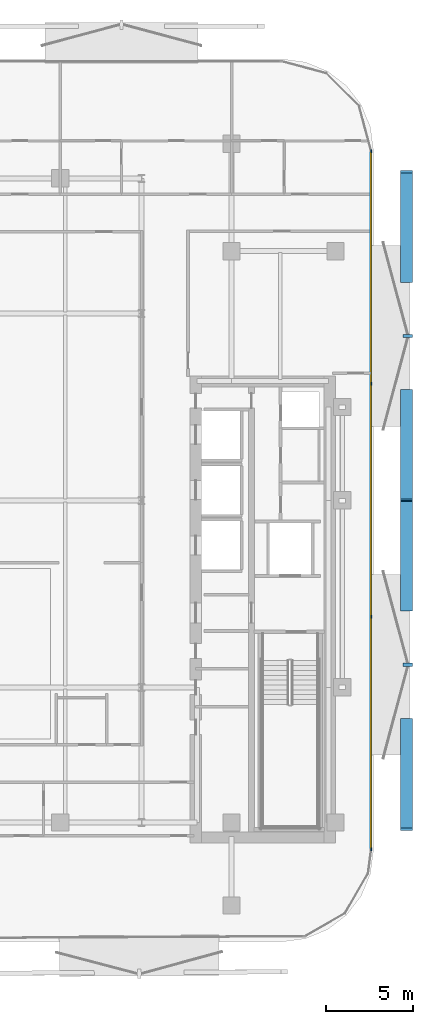
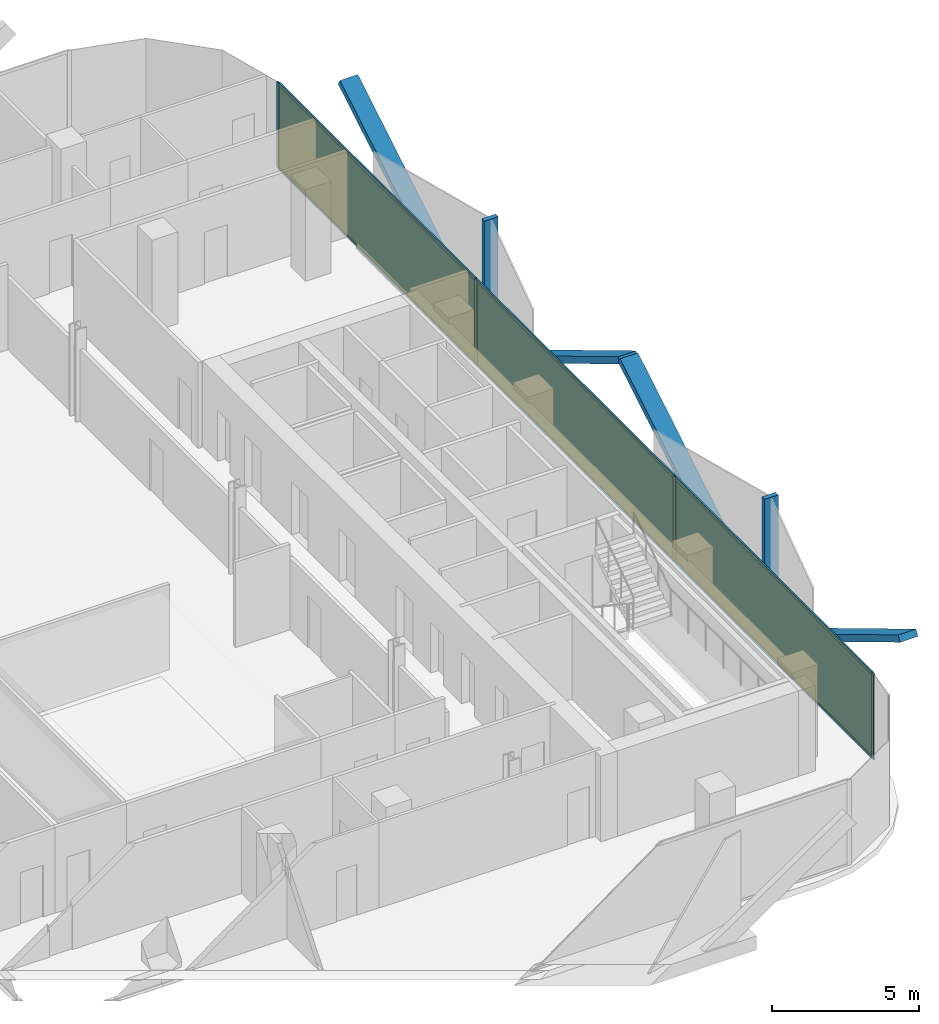
# One storey, part 11 of 17: 16 members, 3 plates, 1 curtain wall.
"""IFC4 building model written with IfcOpenShell, lengths in metres."""

from ifc_helpers import new_model, si_unit, direction, frame, frame_2d, origin, origin_2d, place, context, subcontext, project, spatial, rectangle, extrude, material, layer, layer_set, material_profile, profile_set, type_object, element, aggregate, save


model = new_model("IFC4")

# Units and contexts
model_context = context("Model", 3, precision=1e-05, world=origin(), true_north=direction((0.0, 1.0)))
body_context = subcontext(model_context, "Body", "Model", "MODEL_VIEW")
ifc_project = project(units=[si_unit("LENGTHUNIT", "METRE"), si_unit("AREAUNIT", "SQUARE_METRE"), si_unit("VOLUMEUNIT", "CUBIC_METRE"), si_unit("PLANEANGLEUNIT", "RADIAN"), si_unit("MASSUNIT", "GRAM", prefix="KILO")], contexts=[model_context])

# Member
ifc_material_1 = material(Name="Anodised Bronze Aluminium 6063-T6", Category="aluminium")
ifc_material_profile_1 = material_profile(ifc_material_1, rectangle(XDim=0.260009765625, YDim=0.699951171875, at=origin_2d()))
ifc_profile_set_1 = profile_set([ifc_material_profile_1], Name="Anodised Bronze Aluminium 6063-T6")
member_type_1 = type_object("IfcMemberType", Name="Bronze Diamond Solar-Screen Lattice Rib BDL-700", PredefinedType="MULLION", material=ifc_profile_set_1)
site_placement = place(None, origin())
building_placement = place(site_placement, origin())
storey_placement = place(building_placement, frame((0.0, 0.0, 168.800048828125)))
member_1_placement = place(storey_placement, frame((24.5, 6.330322265625, -0.130126953125), z_axis=(0.0, -0.857382035675, 0.514680527027), x_axis=(0.0, -0.514680527027, -0.857382035675)))
member_1 = element("IfcMember", 1, at=member_1_placement, type_object=member_type_1, Name="L38 Bronze Diamond Solar Screen Lattice Rib 247A", PredefinedType="MULLION", context=body_context, shape_type="SweptSolid", body=[
    extrude(rectangle(XDim=0.260009765625, YDim=0.699951171875, at=origin_2d()), origin(), (0.0, 0.0, 1.0), 7.38330078125),
])

member_2_placement = place(storey_placement, frame((24.5, 12.660400390625, -0.130126953125), z_axis=(0.0, 0.857382035675, 0.514680527027), x_axis=(0.0, 0.514680527027, -0.857382035675)))
member_2 = element("IfcMember", 2, at=member_2_placement, type_object=member_type_1, Name="L38 Bronze Diamond Solar Screen Lattice Rib 247B", PredefinedType="MULLION", context=body_context, shape_type="SweptSolid", body=[
    extrude(rectangle(XDim=0.260009765625, YDim=0.699951171875, at=origin_2d()), origin(), (0.0, 0.0, 1.0), 7.38330078125),
])

member_3_placement = place(storey_placement, frame((24.5, -12.660400390625, -0.130126953125), z_axis=(0.0, -0.857382035675, 0.514680527027), x_axis=(0.0, -0.514680527027, -0.857382035675)))
member_3 = element("IfcMember", 3, at=member_3_placement, type_object=member_type_1, Name="L38 Bronze Diamond Solar Screen Lattice Rib 248A", PredefinedType="MULLION", context=body_context, shape_type="SweptSolid", body=[
    extrude(rectangle(XDim=0.260009765625, YDim=0.699951171875, at=origin_2d()), origin(), (0.0, 0.0, 1.0), 7.38330078125),
])

member_4_placement = place(storey_placement, frame((24.5, -6.330322265625, -0.130126953125), z_axis=(0.0, 0.857382035675, 0.514680527027), x_axis=(0.0, 0.514680527027, -0.857382035675)))
member_4 = element("IfcMember", 4, at=member_4_placement, type_object=member_type_1, Name="L38 Bronze Diamond Solar Screen Lattice Rib 248B", PredefinedType="MULLION", context=body_context, shape_type="SweptSolid", body=[
    extrude(rectangle(XDim=0.260009765625, YDim=0.699951171875, at=origin_2d()), origin(), (0.0, 0.0, 1.0), 7.38330078125),
])

ifc_material_2 = material(Name="Anodised Bronze Aluminium 6063-T6", Category="aluminium")
ifc_material_profile_2 = material_profile(ifc_material_2, rectangle(XDim=0.179931640625, YDim=0.5400390625, at=origin_2d()))
ifc_profile_set_2 = profile_set([ifc_material_profile_2], Name="Anodised Bronze Aluminium 6063-T6")
member_type_2 = type_object("IfcMemberType", Name="Bronze Solar-Screen Vertical Fold Fin BSF-540", PredefinedType="MULLION", material=ifc_profile_set_2)
member_5_placement = place(storey_placement, frame((24.580078125, 9.495361328125, -0.130126953125), z_axis=(0.0, 0.0, 1.0), x_axis=(0.0, -1.0, 0.0)))
member_5 = element("IfcMember", 5, at=member_5_placement, type_object=member_type_2, Name="L38 Bronze Solar Screen Vertical Fin 247", PredefinedType="MULLION", context=body_context, shape_type="SweptSolid", body=[
    extrude(rectangle(XDim=0.179931640625, YDim=0.5400390625, at=origin_2d()), origin(), (0.0, 0.0, 1.0), 3.800048828125),
])

member_6_placement = place(storey_placement, frame((24.580078125, -9.495361328125, -0.130126953125), z_axis=(0.0, 0.0, 1.0), x_axis=(0.0, -1.0, 0.0)))
member_6 = element("IfcMember", 6, at=member_6_placement, type_object=member_type_2, Name="L38 Bronze Solar Screen Vertical Fin 248", PredefinedType="MULLION", context=body_context, shape_type="SweptSolid", body=[
    extrude(rectangle(XDim=0.179931640625, YDim=0.5400390625, at=origin_2d()), origin(), (0.0, 0.0, 1.0), 3.800048828125),
])

ifc_material_3 = material(Name="Anodised Bronze Aluminium 6063-T6", Category="aluminium")
ifc_material_profile_3 = material_profile(ifc_material_3, rectangle(XDim=0.06005859375, YDim=0.1650390625, at=origin_2d()))
ifc_profile_set_3 = profile_set([ifc_material_profile_3], Name="Anodised Bronze Aluminium 6063-T6")
member_type_3 = type_object("IfcMemberType", Name="CW-Z3 Mullion 60x165", PredefinedType="MULLION", material=ifc_profile_set_3)
member_7_placement = place(storey_placement, frame((22.4599609375, 20.160888671875, 0.0), z_axis=(0.0, 0.0, 1.0), x_axis=(1.0, 0.0, 0.0)))
member_7 = element("IfcMember", 7, at=member_7_placement, type_object=member_type_3, Name="CW-Z3 mullion 1", PredefinedType="MULLION", context=body_context, shape_type="SweptSolid", body=[
    extrude(rectangle(XDim=0.06005859375, YDim=0.1650390625, at=origin_2d()), origin(), (0.0, 0.0, 1.0), 3.5400390625),
])

member_8_placement = place(storey_placement, frame((22.4599609375, 6.730224609375, 0.0), z_axis=(0.0, 0.0, 1.0), x_axis=(1.0, 0.0, 0.0)))
member_8 = element("IfcMember", 8, at=member_8_placement, type_object=member_type_3, Name="CW-Z3 mullion 2", PredefinedType="MULLION", context=body_context, shape_type="SweptSolid", body=[
    extrude(rectangle(XDim=0.06005859375, YDim=0.1650390625, at=origin_2d()), origin(), (0.0, 0.0, 1.0), 3.5400390625),
])

member_9_placement = place(storey_placement, frame((22.4599609375, -6.730224609375, 0.0), z_axis=(0.0, 0.0, 1.0), x_axis=(1.0, 0.0, 0.0)))
member_9 = element("IfcMember", 9, at=member_9_placement, type_object=member_type_3, Name="CW-Z3 mullion 3", PredefinedType="MULLION", context=body_context, shape_type="SweptSolid", body=[
    extrude(rectangle(XDim=0.06005859375, YDim=0.1650390625, at=origin_2d()), origin(), (0.0, 0.0, 1.0), 3.5400390625),
])

member_10_placement = place(storey_placement, frame((22.4599609375, -20.160888671875, 0.0), z_axis=(0.0, 0.0, 1.0), x_axis=(1.0, 0.0, 0.0)))
member_10 = element("IfcMember", 10, at=member_10_placement, type_object=member_type_3, Name="CW-Z3 mullion 4", PredefinedType="MULLION", context=body_context, shape_type="SweptSolid", body=[
    extrude(rectangle(XDim=0.06005859375, YDim=0.1650390625, at=origin_2d()), origin(), (0.0, 0.0, 1.0), 3.5400390625),
])

ifc_material_4 = material(Name="Anodised Bronze Aluminium 6063-T6", Category="aluminium")
ifc_material_profile_4 = material_profile(ifc_material_4, rectangle(XDim=0.06005859375, YDim=0.1298828125, at=origin_2d()))
ifc_profile_set_4 = profile_set([ifc_material_profile_4], Name="Anodised Bronze Aluminium 6063-T6")
member_type_4 = type_object("IfcMemberType", Name="CW-Z3 Transom 60x130", PredefinedType="USERDEFINED", material=ifc_profile_set_4)
member_11_placement = place(storey_placement, frame((22.4599609375, 20.130859375, 0.030029296875), z_axis=(0.0, -1.0, 0.0), x_axis=(1.0, 0.0, 0.0)))
member_11 = element("IfcMember", 11, at=member_11_placement, type_object=member_type_4, Name="CW-Z3 transom 1.1", ObjectType="TRANSOM", PredefinedType="USERDEFINED", context=body_context, shape_type="SweptSolid", body=[
    extrude(rectangle(XDim=0.06005859375, YDim=0.1298828125, at=origin_2d()), origin(), (0.0, 0.0, 1.0), 13.37060546875),
])

member_12_placement = place(storey_placement, frame((22.4599609375, 20.130859375, 3.510009765625), z_axis=(0.0, -1.0, 0.0), x_axis=(1.0, 0.0, 0.0)))
member_12 = element("IfcMember", 12, at=member_12_placement, type_object=member_type_4, Name="CW-Z3 transom 1.2", ObjectType="TRANSOM", PredefinedType="USERDEFINED", context=body_context, shape_type="SweptSolid", body=[
    extrude(rectangle(XDim=0.06005859375, YDim=0.1298828125, at=origin_2d()), origin(), (0.0, 0.0, 1.0), 13.37060546875),
])

member_13_placement = place(storey_placement, frame((22.4599609375, 6.7001953125, 0.030029296875), z_axis=(0.0, -1.0, 0.0), x_axis=(1.0, 0.0, 0.0)))
member_13 = element("IfcMember", 13, at=member_13_placement, type_object=member_type_4, Name="CW-Z3 transom 2.1", ObjectType="TRANSOM", PredefinedType="USERDEFINED", context=body_context, shape_type="SweptSolid", body=[
    extrude(rectangle(XDim=0.06005859375, YDim=0.1298828125, at=origin_2d()), origin(), (0.0, 0.0, 1.0), 13.400390625),
])

member_14_placement = place(storey_placement, frame((22.4599609375, 6.7001953125, 3.510009765625), z_axis=(0.0, -1.0, 0.0), x_axis=(1.0, 0.0, 0.0)))
member_14 = element("IfcMember", 14, at=member_14_placement, type_object=member_type_4, Name="CW-Z3 transom 2.2", ObjectType="TRANSOM", PredefinedType="USERDEFINED", context=body_context, shape_type="SweptSolid", body=[
    extrude(rectangle(XDim=0.06005859375, YDim=0.1298828125, at=origin_2d()), origin(), (0.0, 0.0, 1.0), 13.400390625),
])

member_15_placement = place(storey_placement, frame((22.4599609375, -6.76025390625, 0.030029296875), z_axis=(0.0, -1.0, 0.0), x_axis=(1.0, 0.0, 0.0)))
member_15 = element("IfcMember", 15, at=member_15_placement, type_object=member_type_4, Name="CW-Z3 transom 3.1", ObjectType="TRANSOM", PredefinedType="USERDEFINED", context=body_context, shape_type="SweptSolid", body=[
    extrude(rectangle(XDim=0.06005859375, YDim=0.1298828125, at=origin_2d()), origin(), (0.0, 0.0, 1.0), 13.37060546875),
])

member_16_placement = place(storey_placement, frame((22.4599609375, -6.76025390625, 3.510009765625), z_axis=(0.0, -1.0, 0.0), x_axis=(1.0, 0.0, 0.0)))
member_16 = element("IfcMember", 16, at=member_16_placement, type_object=member_type_4, Name="CW-Z3 transom 3.2", ObjectType="TRANSOM", PredefinedType="USERDEFINED", context=body_context, shape_type="SweptSolid", body=[
    extrude(rectangle(XDim=0.06005859375, YDim=0.1298828125, at=origin_2d()), origin(), (0.0, 0.0, 1.0), 13.37060546875),
])

# Plate
ifc_material_5 = material(Name="Low-E Solar Control Laminated Glass", Category="glass")
ifc_layer_1 = layer(ifc_material_5, 0.030029296875, Name="Low-E Solar Control Laminated Glass")
ifc_layer_set_1 = layer_set([ifc_layer_1], Name="Low-E Solar Control Laminated Glass")
plate_type = type_object("IfcPlateType", Name="CW-Z3 Low-E Double Glazed Panel 30mm", PredefinedType="CURTAIN_PANEL", material=ifc_layer_set_1)
plate_1_placement = place(storey_placement, frame((22.4599609375, 13.445556640625, 0.06005859375), z_axis=(0.0, 0.0, 1.0), x_axis=(0.0, -1.0, 0.0)))
plate_1 = element("IfcPlate", 17, at=plate_1_placement, type_object=plate_type, Name="CW-Z3 panel 1.1", PredefinedType="CURTAIN_PANEL", context=body_context, shape_type="SweptSolid", body=[
    extrude(rectangle(XDim=13.37060546875, YDim=0.030029296875, at=origin_2d()), origin(), (0.0, 0.0, 1.0), 3.419921875),
])

plate_2_placement = place(storey_placement, frame((22.4599609375, 0.0, 0.06005859375), z_axis=(0.0, 0.0, 1.0), x_axis=(0.0, -1.0, 0.0)))
plate_2 = element("IfcPlate", 18, at=plate_2_placement, type_object=plate_type, Name="CW-Z3 panel 2.1", PredefinedType="CURTAIN_PANEL", context=body_context, shape_type="SweptSolid", body=[
    extrude(rectangle(XDim=13.400634765625, YDim=0.030029296875, at=origin_2d()), origin(), (0.0, 0.0, 1.0), 3.419921875),
])

plate_3_placement = place(storey_placement, frame((22.4599609375, -13.445556640625, 0.06005859375), z_axis=(0.0, 0.0, 1.0), x_axis=(0.0, -1.0, 0.0)))
plate_3 = element("IfcPlate", 19, at=plate_3_placement, type_object=plate_type, Name="CW-Z3 panel 3.1", PredefinedType="CURTAIN_PANEL", context=body_context, shape_type="SweptSolid", body=[
    extrude(rectangle(XDim=13.37060546875, YDim=0.030029296875, at=origin_2d()), origin(), (0.0, 0.0, 1.0), 3.419921875),
])

# Site, building, storey
site = spatial("IfcSite", under=ifc_project, at=site_placement, CompositionType="ELEMENT")
building = spatial("IfcBuilding", under=site, at=building_placement, Name="Khairoan Windgate Tower", CompositionType="ELEMENT")
storey = spatial("IfcBuildingStorey", under=building, at=storey_placement, Name="L38", CompositionType="ELEMENT", Elevation=168.800048828125)

# Curtain wall
ifc_material_6 = material(Name="Anodised Bronze Aluminium 6063-T6", Category="aluminium")
ifc_layer_2 = layer(ifc_material_6, 0.1650390625, Name="Anodised Bronze Aluminium 6063-T6")
ifc_layer_set_2 = layer_set([ifc_layer_2], Name="Anodised Bronze Aluminium 6063-T6")
curtain_wall_type = type_object("IfcCurtainWallType", Name="Luxury Hotel Acoustic Curtain Wall CW-Z3", PredefinedType="NOTDEFINED", material=ifc_layer_set_2)
curtain_wall_placement = place(storey_placement, frame((22.4599609375, 20.19091796875, 0.0), z_axis=(0.0, 0.0, 1.0), x_axis=(0.0, -1.0, 0.0)))
curtain_wall = element("IfcCurtainWall", 20, at=curtain_wall_placement, inside=storey, type_object=curtain_wall_type, Name="L38 Unitised Curtain Wall 13", PredefinedType="NOTDEFINED", context=body_context, shape_type="SweptSolid", body=[
    extrude(rectangle(XDim=40.3818359375, YDim=0.010009765625, at=frame_2d((20.19091796875, 0.0))), origin(), (0.0, 0.0, 1.0), 3.5400390625),
])

aggregate(curtain_wall, [member_7, member_8, member_9, member_10, member_11, member_12, plate_1, member_13, member_14, plate_2, member_15, member_16, plate_3, member_1, member_2, member_5, member_3, member_4, member_6])

save(model, "model.ifc")
